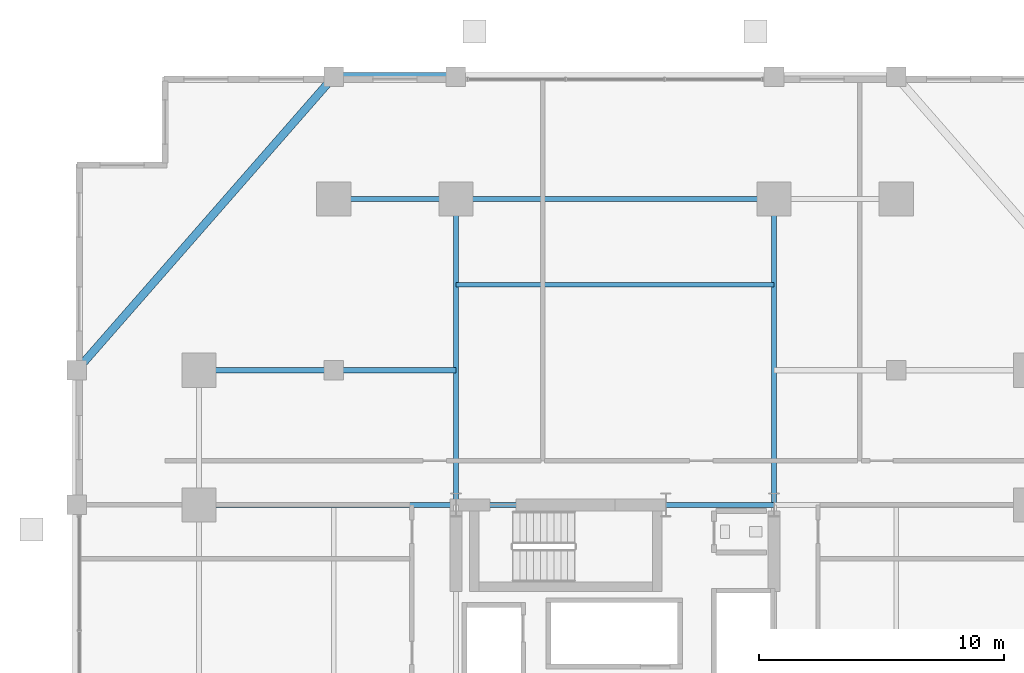
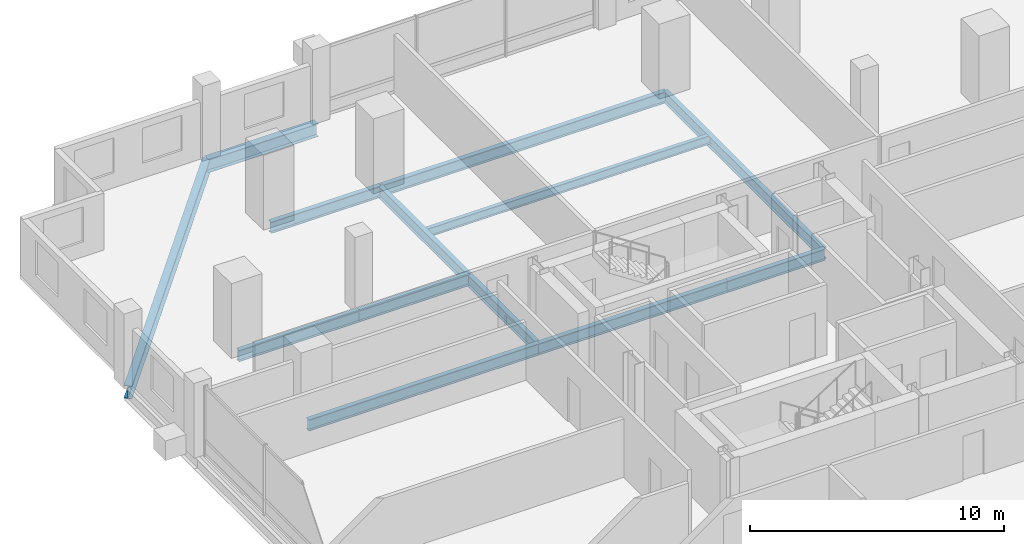
# One storey, part 12 of 21: 12 beams.
"""IFC4 building model written with IfcOpenShell, lengths in metres."""

from ifc_helpers import new_model, si_unit, direction, frame, origin, origin_2d, place, context, subcontext, project, spatial, i_section, extrude, material, material_profile, profile_set, type_object, element, save


model = new_model("IFC4")

# Units and contexts
model_context = context("Model", 3, precision=1e-05, world=origin(), true_north=direction((0.0, 1.0)))
body_context = subcontext(model_context, "Body", "Model", "MODEL_VIEW")
ifc_project = project(units=[si_unit("LENGTHUNIT", "METRE"), si_unit("AREAUNIT", "SQUARE_METRE"), si_unit("VOLUMEUNIT", "CUBIC_METRE"), si_unit("PLANEANGLEUNIT", "RADIAN"), si_unit("MASSUNIT", "GRAM", prefix="KILO")], contexts=[model_context])

# Site, building, storey
site_placement = place(None, origin())
site = spatial("IfcSite", under=ifc_project, at=site_placement, CompositionType="ELEMENT")
building_placement = place(site_placement, origin())
building = spatial("IfcBuilding", under=site, at=building_placement, Name="Barlavira Tower and Art Museum", CompositionType="ELEMENT")
storey_placement = place(building_placement, frame((0.0, 0.0, 86.39990234375)))
storey = spatial("IfcBuildingStorey", under=building, at=storey_placement, Name="L21", CompositionType="ELEMENT", Elevation=86.39990234375)

# Beams
ifc_material = material(Name="Steel S355", Category="steel")
ifc_material_profile_1 = material_profile(ifc_material, i_section(OverallWidth=0.327880859375, OverallDepth=0.62890625, WebThickness=0.013916015625, FlangeThickness=0.021484375, at=origin_2d()), Name="W610x174.0")
ifc_profile_set_1 = profile_set([ifc_material_profile_1], Name="Steel S355")
beam_type_1 = type_object("IfcBeamType", Name="Perimeter Spandrel Edge Beam W610x174 Steel S355", PredefinedType="SPANDREL", material=ifc_profile_set_1)
beam_1_placement = place(storey_placement, frame((-11.5, 25.0, -0.534423828125), z_axis=(1.0, 0.0, 0.0), x_axis=(0.0, 1.0, 0.0)))
element("IfcBeam", 1, at=beam_1_placement, inside=storey, type_object=beam_type_1, Name="L21 Spandrel 11", PredefinedType="SPANDREL", context=body_context, shape_type="SweptSolid", body=[
    extrude(i_section(OverallWidth=0.327880859375, OverallDepth=0.62890625, WebThickness=0.013916015625, FlangeThickness=0.021484375, at=origin_2d()), origin(), (0.0, 0.0, 1.0), 5.0),
])
beam_2_placement = place(storey_placement, frame((-11.5, 25.0, -0.534423828125), z_axis=(-0.658504607869, -0.752576694707, 0.0), x_axis=(0.752576694707, -0.658504607869, 0.0)))
element("IfcBeam", 2, at=beam_2_placement, inside=storey, type_object=beam_type_1, Name="L21 Spandrel 12", PredefinedType="SPANDREL", context=body_context, shape_type="SweptSolid", body=[
    extrude(i_section(OverallWidth=0.327880859375, OverallDepth=0.62890625, WebThickness=0.013916015625, FlangeThickness=0.021484375, at=origin_2d()), origin(), (0.0, 0.0, 1.0), 15.9453125),
])
ifc_material_profile_2 = material_profile(ifc_material, i_section(OverallWidth=0.180908203125, OverallDepth=0.4169921875, WebThickness=0.010986328125, FlangeThickness=0.018310546875, at=origin_2d()), Name="W410x85.0")
ifc_profile_set_2 = profile_set([ifc_material_profile_2], Name="Steel S355")
beam_type_2 = type_object("IfcBeamType", Name="Zone 1 Composite Floor Joist W410x85 Steel S355", PredefinedType="JOIST", material=ifc_profile_set_2)
beam_3_placement = place(storey_placement, frame((-6.5, 16.5, -0.428466796875), z_axis=(1.0, 0.0, 0.0), x_axis=(0.0, 1.0, 0.0)))
element("IfcBeam", 3, at=beam_3_placement, inside=storey, type_object=beam_type_2, Name="L21 Joist C2", PredefinedType="JOIST", context=body_context, shape_type="SweptSolid", body=[
    extrude(i_section(OverallWidth=0.180908203125, OverallDepth=0.4169921875, WebThickness=0.010986328125, FlangeThickness=0.018310546875, at=origin_2d()), origin(), (0.0, 0.0, 1.0), 13.0),
])
ifc_material_profile_3 = material_profile(ifc_material, i_section(OverallWidth=0.214111328125, OverallDepth=0.549072265625, WebThickness=0.0146484375, FlangeThickness=0.023681640625, at=origin_2d()), Name="W530x138.0")
ifc_profile_set_3 = profile_set([ifc_material_profile_3], Name="Steel S355")
beam_type_3 = type_object("IfcBeamType", Name="Zone 1 Primary Floor Girder W530x138 Steel S355", PredefinedType="BEAM", material=ifc_profile_set_3)
beam_4_placement = place(storey_placement, frame((-6.5, 7.5, -0.494384765625), z_axis=(1.0, 0.0, 0.0), x_axis=(0.0, 1.0, 0.0)))
element("IfcBeam", 4, at=beam_4_placement, inside=storey, type_object=beam_type_3, Name="L21 Girder C-N1", PredefinedType="BEAM", context=body_context, shape_type="SweptSolid", body=[
    extrude(i_section(OverallWidth=0.214111328125, OverallDepth=0.549072265625, WebThickness=0.0146484375, FlangeThickness=0.023681640625, at=origin_2d()), origin(), (0.0, 0.0, 1.0), 8.580078125),
])
beam_5_placement = place(storey_placement, frame((2.080078125, 7.5, -0.494384765625), z_axis=(1.0, 0.0, 0.0), x_axis=(0.0, 1.0, 0.0)))
element("IfcBeam", 5, at=beam_5_placement, inside=storey, type_object=beam_type_3, Name="L21 Girder C-N2", PredefinedType="BEAM", context=body_context, shape_type="SweptSolid", body=[
    extrude(i_section(OverallWidth=0.214111328125, OverallDepth=0.549072265625, WebThickness=0.0146484375, FlangeThickness=0.023681640625, at=origin_2d()), origin(), (0.0, 0.0, 1.0), 4.419921875),
])
beam_6_placement = place(storey_placement, frame((-11.5, 20.0, -0.494384765625), z_axis=(1.0, 0.0, 0.0), x_axis=(0.0, 1.0, 0.0)))
element("IfcBeam", 6, at=beam_6_placement, inside=storey, type_object=beam_type_3, Name="L21 Girder M-N1", PredefinedType="BEAM", context=body_context, shape_type="SweptSolid", body=[
    extrude(i_section(OverallWidth=0.214111328125, OverallDepth=0.549072265625, WebThickness=0.0146484375, FlangeThickness=0.023681640625, at=origin_2d()), origin(), (0.0, 0.0, 1.0), 5.0),
])
beam_7_placement = place(storey_placement, frame((-6.5, 20.0, -0.494384765625), z_axis=(1.0, 0.0, 0.0), x_axis=(0.0, 1.0, 0.0)))
element("IfcBeam", 7, at=beam_7_placement, inside=storey, type_object=beam_type_3, Name="L21 Girder M-N2", PredefinedType="BEAM", context=body_context, shape_type="SweptSolid", body=[
    extrude(i_section(OverallWidth=0.214111328125, OverallDepth=0.549072265625, WebThickness=0.0146484375, FlangeThickness=0.023681640625, at=origin_2d()), origin(), (0.0, 0.0, 1.0), 13.0),
])
for number, where, z_axis, x_axis, name in (
    (8, (-6.5, 7.5, -0.494384765625), (0.0, 1.0, 0.0), (-1.0, 0.0, 0.0), "L21 Girder R-N1"),
    (9, (6.5, 7.5, -0.494384765625), (0.0, 1.0, 0.0), (-1.0, 0.0, 0.0), "L21 Girder R-N2"),
):
    element("IfcBeam", number, at=place(storey_placement, frame(where, z_axis=z_axis, x_axis=x_axis)), inside=storey, type_object=beam_type_3, Name=name, PredefinedType="BEAM", context=body_context, shape_type="SweptSolid", body=[
        extrude(i_section(OverallWidth=0.214111328125, OverallDepth=0.549072265625, WebThickness=0.0146484375, FlangeThickness=0.023681640625, at=origin_2d()), origin(), (0.0, 0.0, 1.0), 12.5),
    ])
beam_8_placement = place(storey_placement, frame((-17.0, 7.5, -0.494384765625), z_axis=(1.0, 0.0, 0.0), x_axis=(0.0, 1.0, 0.0)))
element("IfcBeam", 10, at=beam_8_placement, inside=storey, type_object=beam_type_3, Name="L21 Girder R-W2", PredefinedType="BEAM", context=body_context, shape_type="SweptSolid", body=[
    extrude(i_section(OverallWidth=0.214111328125, OverallDepth=0.549072265625, WebThickness=0.0146484375, FlangeThickness=0.023681640625, at=origin_2d()), origin(), (0.0, 0.0, 1.0), 10.5),
])
beam_9_placement = place(storey_placement, frame((-17.0, 13.0, -0.494384765625), z_axis=(1.0, 0.0, 0.0), x_axis=(0.0, 1.0, 0.0)))
element("IfcBeam", 11, at=beam_9_placement, inside=storey, type_object=beam_type_3, Name="L21 Girder I-N1", PredefinedType="BEAM", context=body_context, shape_type="SweptSolid", body=[
    extrude(i_section(OverallWidth=0.214111328125, OverallDepth=0.549072265625, WebThickness=0.0146484375, FlangeThickness=0.023681640625, at=origin_2d()), origin(), (0.0, 0.0, 1.0), 5.5),
])
beam_10_placement = place(storey_placement, frame((-11.5, 13.0, -0.494384765625), z_axis=(1.0, 0.0, 0.0), x_axis=(0.0, 1.0, 0.0)))
element("IfcBeam", 12, at=beam_10_placement, inside=storey, type_object=beam_type_3, Name="L21 Girder I-N2", PredefinedType="BEAM", context=body_context, shape_type="SweptSolid", body=[
    extrude(i_section(OverallWidth=0.214111328125, OverallDepth=0.549072265625, WebThickness=0.0146484375, FlangeThickness=0.023681640625, at=origin_2d()), origin(), (0.0, 0.0, 1.0), 5.0),
])

save(model, "model.ifc")
